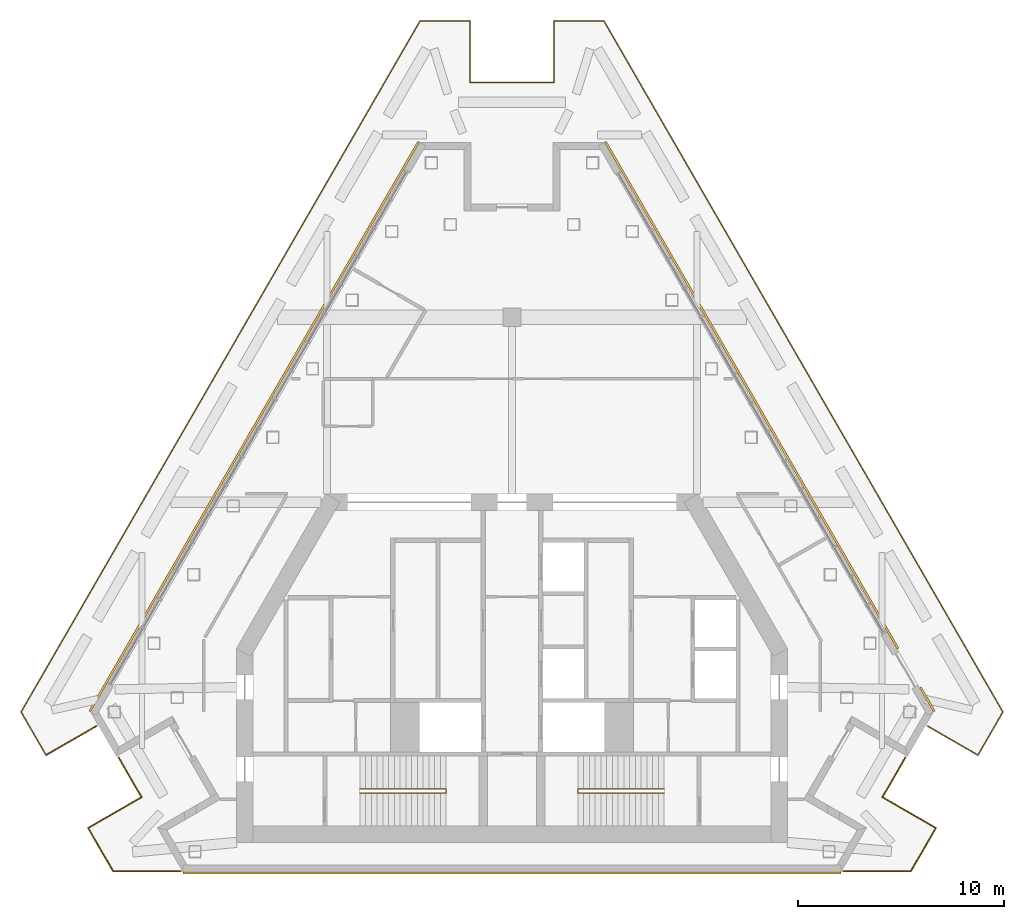
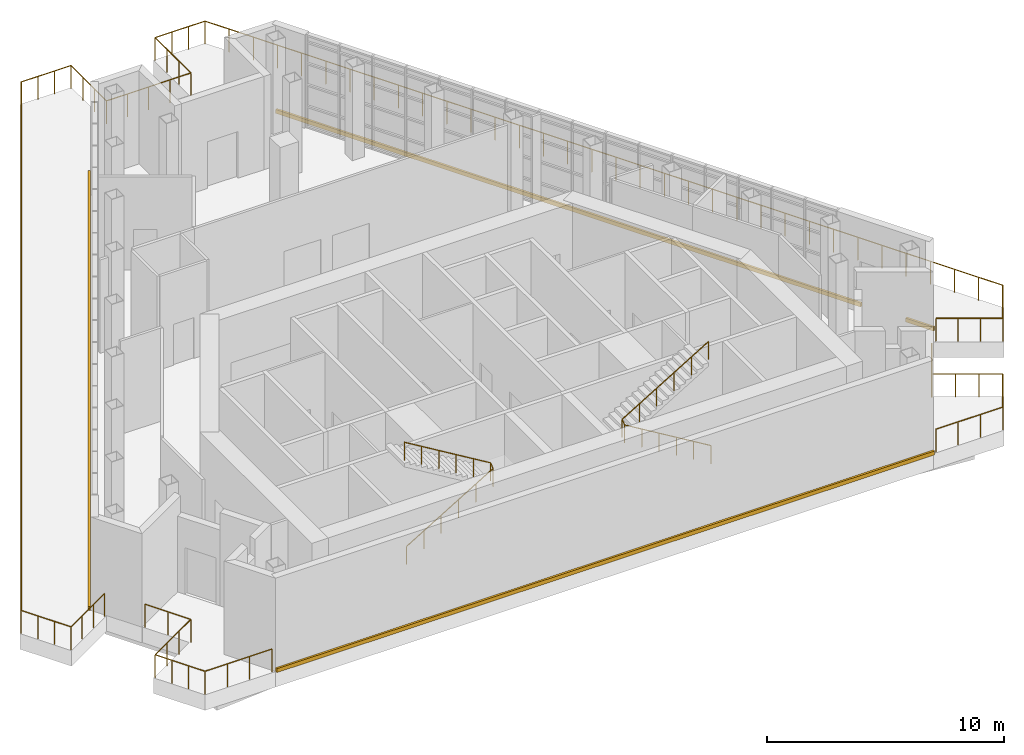
# One storey, part 15 of 15: 8 railings, 4 coverings.
"""IFC4 building model written with IfcOpenShell, lengths in metres."""

from ifc_helpers import new_model, si_unit, direction, frame, origin, origin_2d, place, context, subcontext, project, spatial, polyline, circle, outline, extrude, material, type_object, element, save


model = new_model("IFC4")

# Units and contexts
model_context = context("Model", 3, precision=1e-05, world=origin(), true_north=direction((0.0, 1.0)))
body_context = subcontext(model_context, "Body", "Model", "MODEL_VIEW")
ifc_project = project(units=[si_unit("LENGTHUNIT", "METRE"), si_unit("AREAUNIT", "SQUARE_METRE"), si_unit("VOLUMEUNIT", "CUBIC_METRE"), si_unit("PLANEANGLEUNIT", "RADIAN"), si_unit("MASSUNIT", "GRAM", prefix="KILO")], contexts=[model_context])

# Site, building, storey
site_placement = place(None, origin())
site = spatial("IfcSite", under=ifc_project, at=site_placement, CompositionType="ELEMENT")
building_placement = place(site_placement, origin())
building = spatial("IfcBuilding", under=site, at=building_placement, Name="Fogline Exchange Tower", CompositionType="ELEMENT")
storey_placement = place(building_placement, frame((0.0, 0.0, 344.699951171875)))
storey = spatial("IfcBuildingStorey", under=building, at=storey_placement, Name="L78", CompositionType="ELEMENT", Elevation=344.699951171875)

# Railings
ifc_material_1 = material(Name="Stainless steel 304", Category="steel")
railing_type_1 = type_object("IfcRailingType", Name="G1", PredefinedType="GUARDRAIL", material=ifc_material_1)
railing_1_placement = place(storey_placement, frame((-22.666748046875, 5.697509765625, 0.0)))
element("IfcRailing", 1, at=railing_1_placement, inside=storey, type_object=railing_type_1, Name="Guard L78 terrace", PredefinedType="GUARDRAIL", context=body_context, shape_type="SweptSolid", body=[
    extrude(circle(Radius=0.02392578125, at=origin_2d()), frame((0.0, 0.0, 1.17578125), z_axis=(-0.499978511878, 0.866037809602, 0.0), x_axis=(-0.866037809602, -0.499978511878, 0.0)), (0.0, 0.0, 1.0), 2.4208984375),
    extrude(circle(Radius=0.02392578125, at=origin_2d()), frame((-1.21044921875, 2.0966796875, 1.17578125), z_axis=(0.499995975731, 0.866027727185, 0.0), x_axis=(-0.866027727185, 0.499995975731, 0.0)), (0.0, 0.0, 1.0), 38.812255859375),
    extrude(circle(Radius=0.02392578125, at=origin_2d()), frame((18.195556640625, 35.709228515625, 1.17578125), z_axis=(1.0, 0.0, 0.0), x_axis=(0.0, 1.0, 0.0)), (0.0, 0.0, 1.0), 2.421142578125),
    extrude(circle(Radius=0.02392578125, at=origin_2d()), frame((20.61669921875, 35.709228515625, 1.17578125), z_axis=(0.0, -1.0, 0.0), x_axis=(1.0, 0.0, 0.0)), (0.0, 0.0, 1.0), 3.0),
    extrude(circle(Radius=0.02392578125, at=origin_2d()), frame((20.61669921875, 32.709228515625, 1.17578125), z_axis=(1.0, 0.0, 0.0), x_axis=(0.0, 1.0, 0.0)), (0.0, 0.0, 1.0), 4.10009765625),
    extrude(circle(Radius=0.02392578125, at=origin_2d()), frame((24.716796875, 32.709228515625, 1.17578125), z_axis=(0.0, 1.0, 0.0), x_axis=(-1.0, 0.0, 0.0)), (0.0, 0.0, 1.0), 3.0),
    extrude(circle(Radius=0.02392578125, at=origin_2d()), frame((24.716796875, 35.709228515625, 1.17578125), z_axis=(1.0, 0.0, 0.0), x_axis=(0.0, 1.0, 0.0)), (0.0, 0.0, 1.0), 2.421142578125),
    extrude(circle(Radius=0.02392578125, at=origin_2d()), frame((27.137939453125, 35.709228515625, 1.17578125), z_axis=(0.499995975731, -0.866027727185, 0.0), x_axis=(0.866027727185, 0.499995975731, 0.0)), (0.0, 0.0, 1.0), 38.812255859375),
    extrude(circle(Radius=0.02392578125, at=origin_2d()), frame((46.5439453125, 2.0966796875, 1.17578125), z_axis=(-0.499978511878, -0.866037809602, 0.0), x_axis=(0.866037809602, -0.499978511878, 0.0)), (0.0, 0.0, 1.0), 2.4208984375),
    extrude(circle(Radius=0.02392578125, at=origin_2d()), frame((45.33349609375, 0.0, 1.17578125), z_axis=(-0.866027263711, 0.4999967785, 0.0), x_axis=(-0.4999967785, -0.866027263711, 0.0)), (0.0, 0.0, 1.0), 2.82470703125),
    extrude(circle(Radius=0.02099609375, at=origin_2d()), origin(), (0.0, 0.0, 1.0), 1.15185546875),
    extrude(circle(Radius=0.02099609375, at=origin_2d()), frame((-0.403564453125, 0.698974609375, 0.0)), (0.0, 0.0, 1.0), 1.15185546875),
    extrude(circle(Radius=0.02099609375, at=origin_2d()), frame((-0.806884765625, 1.397705078125, 0.0)), (0.0, 0.0, 1.0), 1.15185546875),
    extrude(circle(Radius=0.02099609375, at=origin_2d()), frame((-1.21044921875, 2.0966796875, 0.0)), (0.0, 0.0, 1.0), 1.15185546875),
    extrude(circle(Radius=0.02099609375, at=origin_2d()), frame((-0.622314453125, 3.115234375, 0.0)), (0.0, 0.0, 1.0), 1.15185546875),
    extrude(circle(Radius=0.02099609375, at=origin_2d()), frame((-0.034423828125, 4.1337890625, 0.0)), (0.0, 0.0, 1.0), 1.15185546875),
    extrude(circle(Radius=0.02099609375, at=origin_2d()), frame((0.5537109375, 5.15234375, 0.0)), (0.0, 0.0, 1.0), 1.15185546875),
    extrude(circle(Radius=0.02099609375, at=origin_2d()), frame((1.141845703125, 6.1708984375, 0.0)), (0.0, 0.0, 1.0), 1.15185546875),
    extrude(circle(Radius=0.02099609375, at=origin_2d()), frame((1.729736328125, 7.189453125, 0.0)), (0.0, 0.0, 1.0), 1.15185546875),
    extrude(circle(Radius=0.02099609375, at=origin_2d()), frame((2.31787109375, 8.2080078125, 0.0)), (0.0, 0.0, 1.0), 1.15185546875),
    extrude(circle(Radius=0.02099609375, at=origin_2d()), frame((2.906005859375, 9.2265625, 0.0)), (0.0, 0.0, 1.0), 1.15185546875),
    extrude(circle(Radius=0.02099609375, at=origin_2d()), frame((3.494140625, 10.2451171875, 0.0)), (0.0, 0.0, 1.0), 1.15185546875),
    extrude(circle(Radius=0.02099609375, at=origin_2d()), frame((4.08203125, 11.263671875, 0.0)), (0.0, 0.0, 1.0), 1.15185546875),
    extrude(circle(Radius=0.02099609375, at=origin_2d()), frame((4.670166015625, 12.2822265625, 0.0)), (0.0, 0.0, 1.0), 1.15185546875),
    extrude(circle(Radius=0.02099609375, at=origin_2d()), frame((5.25830078125, 13.30078125, 0.0)), (0.0, 0.0, 1.0), 1.15185546875),
    extrude(circle(Radius=0.02099609375, at=origin_2d()), frame((5.84619140625, 14.3193359375, 0.0)), (0.0, 0.0, 1.0), 1.15185546875),
    extrude(circle(Radius=0.02099609375, at=origin_2d()), frame((6.434326171875, 15.337890625, 0.0)), (0.0, 0.0, 1.0), 1.15185546875),
    extrude(circle(Radius=0.02099609375, at=origin_2d()), frame((7.0224609375, 16.3564453125, 0.0)), (0.0, 0.0, 1.0), 1.15185546875),
    extrude(circle(Radius=0.02099609375, at=origin_2d()), frame((7.6103515625, 17.375, 0.0)), (0.0, 0.0, 1.0), 1.15185546875),
    extrude(circle(Radius=0.02099609375, at=origin_2d()), frame((8.198486328125, 18.3935546875, 0.0)), (0.0, 0.0, 1.0), 1.15185546875),
    extrude(circle(Radius=0.02099609375, at=origin_2d()), frame((8.78662109375, 19.412353515625, 0.0)), (0.0, 0.0, 1.0), 1.15185546875),
    extrude(circle(Radius=0.02099609375, at=origin_2d()), frame((9.374755859375, 20.430908203125, 0.0)), (0.0, 0.0, 1.0), 1.15185546875),
    extrude(circle(Radius=0.02099609375, at=origin_2d()), frame((9.962646484375, 21.449462890625, 0.0)), (0.0, 0.0, 1.0), 1.15185546875),
    extrude(circle(Radius=0.02099609375, at=origin_2d()), frame((10.55078125, 22.468017578125, 0.0)), (0.0, 0.0, 1.0), 1.15185546875),
    extrude(circle(Radius=0.02099609375, at=origin_2d()), frame((11.138916015625, 23.486572265625, 0.0)), (0.0, 0.0, 1.0), 1.15185546875),
    extrude(circle(Radius=0.02099609375, at=origin_2d()), frame((11.726806640625, 24.505126953125, 0.0)), (0.0, 0.0, 1.0), 1.15185546875),
    extrude(circle(Radius=0.02099609375, at=origin_2d()), frame((12.31494140625, 25.523681640625, 0.0)), (0.0, 0.0, 1.0), 1.15185546875),
    extrude(circle(Radius=0.02099609375, at=origin_2d()), frame((12.903076171875, 26.542236328125, 0.0)), (0.0, 0.0, 1.0), 1.15185546875),
    extrude(circle(Radius=0.02099609375, at=origin_2d()), frame((13.490966796875, 27.560791015625, 0.0)), (0.0, 0.0, 1.0), 1.15185546875),
    extrude(circle(Radius=0.02099609375, at=origin_2d()), frame((14.0791015625, 28.579345703125, 0.0)), (0.0, 0.0, 1.0), 1.15185546875),
    extrude(circle(Radius=0.02099609375, at=origin_2d()), frame((14.667236328125, 29.597900390625, 0.0)), (0.0, 0.0, 1.0), 1.15185546875),
    extrude(circle(Radius=0.02099609375, at=origin_2d()), frame((15.25537109375, 30.616455078125, 0.0)), (0.0, 0.0, 1.0), 1.15185546875),
    extrude(circle(Radius=0.02099609375, at=origin_2d()), frame((15.84326171875, 31.635009765625, 0.0)), (0.0, 0.0, 1.0), 1.15185546875),
    extrude(circle(Radius=0.02099609375, at=origin_2d()), frame((16.431396484375, 32.653564453125, 0.0)), (0.0, 0.0, 1.0), 1.15185546875),
    extrude(circle(Radius=0.02099609375, at=origin_2d()), frame((17.01953125, 33.672119140625, 0.0)), (0.0, 0.0, 1.0), 1.15185546875),
    extrude(circle(Radius=0.02099609375, at=origin_2d()), frame((17.607421875, 34.690673828125, 0.0)), (0.0, 0.0, 1.0), 1.15185546875),
    extrude(circle(Radius=0.02099609375, at=origin_2d()), frame((18.195556640625, 35.709228515625, 0.0)), (0.0, 0.0, 1.0), 1.15185546875),
    extrude(circle(Radius=0.02099609375, at=origin_2d()), frame((19.002685546875, 35.709228515625, 0.0)), (0.0, 0.0, 1.0), 1.15185546875),
    extrude(circle(Radius=0.02099609375, at=origin_2d()), frame((19.8095703125, 35.709228515625, 0.0)), (0.0, 0.0, 1.0), 1.15185546875),
    extrude(circle(Radius=0.02099609375, at=origin_2d()), frame((20.61669921875, 35.709228515625, 0.0)), (0.0, 0.0, 1.0), 1.15185546875),
    extrude(circle(Radius=0.02099609375, at=origin_2d()), frame((20.61669921875, 34.709228515625, 0.0)), (0.0, 0.0, 1.0), 1.15185546875),
    extrude(circle(Radius=0.02099609375, at=origin_2d()), frame((20.61669921875, 33.709228515625, 0.0)), (0.0, 0.0, 1.0), 1.15185546875),
    extrude(circle(Radius=0.02099609375, at=origin_2d()), frame((20.61669921875, 32.709228515625, 0.0)), (0.0, 0.0, 1.0), 1.15185546875),
    extrude(circle(Radius=0.02099609375, at=origin_2d()), frame((21.6416015625, 32.709228515625, 0.0)), (0.0, 0.0, 1.0), 1.15185546875),
    extrude(circle(Radius=0.02099609375, at=origin_2d()), frame((22.666748046875, 32.709228515625, 0.0)), (0.0, 0.0, 1.0), 1.15185546875),
    extrude(circle(Radius=0.02099609375, at=origin_2d()), frame((23.69189453125, 32.709228515625, 0.0)), (0.0, 0.0, 1.0), 1.15185546875),
    extrude(circle(Radius=0.02099609375, at=origin_2d()), frame((24.716796875, 32.709228515625, 0.0)), (0.0, 0.0, 1.0), 1.15185546875),
    extrude(circle(Radius=0.02099609375, at=origin_2d()), frame((24.716796875, 33.709228515625, 0.0)), (0.0, 0.0, 1.0), 1.15185546875),
    extrude(circle(Radius=0.02099609375, at=origin_2d()), frame((24.716796875, 34.709228515625, 0.0)), (0.0, 0.0, 1.0), 1.15185546875),
    extrude(circle(Radius=0.02099609375, at=origin_2d()), frame((24.716796875, 35.709228515625, 0.0)), (0.0, 0.0, 1.0), 1.15185546875),
    extrude(circle(Radius=0.02099609375, at=origin_2d()), frame((25.52392578125, 35.709228515625, 0.0)), (0.0, 0.0, 1.0), 1.15185546875),
    extrude(circle(Radius=0.02099609375, at=origin_2d()), frame((26.330810546875, 35.709228515625, 0.0)), (0.0, 0.0, 1.0), 1.15185546875),
    extrude(circle(Radius=0.02099609375, at=origin_2d()), frame((27.137939453125, 35.709228515625, 0.0)), (0.0, 0.0, 1.0), 1.15185546875),
    extrude(circle(Radius=0.02099609375, at=origin_2d()), frame((27.72607421875, 34.690673828125, 0.0)), (0.0, 0.0, 1.0), 1.15185546875),
    extrude(circle(Radius=0.02099609375, at=origin_2d()), frame((28.31396484375, 33.672119140625, 0.0)), (0.0, 0.0, 1.0), 1.15185546875),
    extrude(circle(Radius=0.02099609375, at=origin_2d()), frame((28.902099609375, 32.653564453125, 0.0)), (0.0, 0.0, 1.0), 1.15185546875),
    extrude(circle(Radius=0.02099609375, at=origin_2d()), frame((29.490234375, 31.635009765625, 0.0)), (0.0, 0.0, 1.0), 1.15185546875),
    extrude(circle(Radius=0.02099609375, at=origin_2d()), frame((30.078125, 30.616455078125, 0.0)), (0.0, 0.0, 1.0), 1.15185546875),
    extrude(circle(Radius=0.02099609375, at=origin_2d()), frame((30.666259765625, 29.597900390625, 0.0)), (0.0, 0.0, 1.0), 1.15185546875),
    extrude(circle(Radius=0.02099609375, at=origin_2d()), frame((31.25439453125, 28.579345703125, 0.0)), (0.0, 0.0, 1.0), 1.15185546875),
    extrude(circle(Radius=0.02099609375, at=origin_2d()), frame((31.842529296875, 27.560791015625, 0.0)), (0.0, 0.0, 1.0), 1.15185546875),
    extrude(circle(Radius=0.02099609375, at=origin_2d()), frame((32.430419921875, 26.542236328125, 0.0)), (0.0, 0.0, 1.0), 1.15185546875),
    extrude(circle(Radius=0.02099609375, at=origin_2d()), frame((33.0185546875, 25.523681640625, 0.0)), (0.0, 0.0, 1.0), 1.15185546875),
    extrude(circle(Radius=0.02099609375, at=origin_2d()), frame((33.606689453125, 24.505126953125, 0.0)), (0.0, 0.0, 1.0), 1.15185546875),
    extrude(circle(Radius=0.02099609375, at=origin_2d()), frame((34.194580078125, 23.486572265625, 0.0)), (0.0, 0.0, 1.0), 1.15185546875),
    extrude(circle(Radius=0.02099609375, at=origin_2d()), frame((34.78271484375, 22.468017578125, 0.0)), (0.0, 0.0, 1.0), 1.15185546875),
    extrude(circle(Radius=0.02099609375, at=origin_2d()), frame((35.370849609375, 21.449462890625, 0.0)), (0.0, 0.0, 1.0), 1.15185546875),
    extrude(circle(Radius=0.02099609375, at=origin_2d()), frame((35.958740234375, 20.430908203125, 0.0)), (0.0, 0.0, 1.0), 1.15185546875),
    extrude(circle(Radius=0.02099609375, at=origin_2d()), frame((36.546875, 19.412353515625, 0.0)), (0.0, 0.0, 1.0), 1.15185546875),
    extrude(circle(Radius=0.02099609375, at=origin_2d()), frame((37.135009765625, 18.3935546875, 0.0)), (0.0, 0.0, 1.0), 1.15185546875),
    extrude(circle(Radius=0.02099609375, at=origin_2d()), frame((37.72314453125, 17.375, 0.0)), (0.0, 0.0, 1.0), 1.15185546875),
    extrude(circle(Radius=0.02099609375, at=origin_2d()), frame((38.31103515625, 16.3564453125, 0.0)), (0.0, 0.0, 1.0), 1.15185546875),
    extrude(circle(Radius=0.02099609375, at=origin_2d()), frame((38.899169921875, 15.337890625, 0.0)), (0.0, 0.0, 1.0), 1.15185546875),
    extrude(circle(Radius=0.02099609375, at=origin_2d()), frame((39.4873046875, 14.3193359375, 0.0)), (0.0, 0.0, 1.0), 1.15185546875),
    extrude(circle(Radius=0.02099609375, at=origin_2d()), frame((40.0751953125, 13.30078125, 0.0)), (0.0, 0.0, 1.0), 1.15185546875),
    extrude(circle(Radius=0.02099609375, at=origin_2d()), frame((40.663330078125, 12.2822265625, 0.0)), (0.0, 0.0, 1.0), 1.15185546875),
    extrude(circle(Radius=0.02099609375, at=origin_2d()), frame((41.25146484375, 11.263671875, 0.0)), (0.0, 0.0, 1.0), 1.15185546875),
    extrude(circle(Radius=0.02099609375, at=origin_2d()), frame((41.83935546875, 10.2451171875, 0.0)), (0.0, 0.0, 1.0), 1.15185546875),
    extrude(circle(Radius=0.02099609375, at=origin_2d()), frame((42.427490234375, 9.2265625, 0.0)), (0.0, 0.0, 1.0), 1.15185546875),
    extrude(circle(Radius=0.02099609375, at=origin_2d()), frame((43.015625, 8.2080078125, 0.0)), (0.0, 0.0, 1.0), 1.15185546875),
    extrude(circle(Radius=0.02099609375, at=origin_2d()), frame((43.603759765625, 7.189453125, 0.0)), (0.0, 0.0, 1.0), 1.15185546875),
    extrude(circle(Radius=0.02099609375, at=origin_2d()), frame((44.191650390625, 6.1708984375, 0.0)), (0.0, 0.0, 1.0), 1.15185546875),
    extrude(circle(Radius=0.02099609375, at=origin_2d()), frame((44.77978515625, 5.15234375, 0.0)), (0.0, 0.0, 1.0), 1.15185546875),
    extrude(circle(Radius=0.02099609375, at=origin_2d()), frame((45.367919921875, 4.1337890625, 0.0)), (0.0, 0.0, 1.0), 1.15185546875),
    extrude(circle(Radius=0.02099609375, at=origin_2d()), frame((45.955810546875, 3.115234375, 0.0)), (0.0, 0.0, 1.0), 1.15185546875),
    extrude(circle(Radius=0.02099609375, at=origin_2d()), frame((46.5439453125, 2.0966796875, 0.0)), (0.0, 0.0, 1.0), 1.15185546875),
    extrude(circle(Radius=0.02099609375, at=origin_2d()), frame((46.140380859375, 1.397705078125, 0.0)), (0.0, 0.0, 1.0), 1.15185546875),
    extrude(circle(Radius=0.02099609375, at=origin_2d()), frame((45.737060546875, 0.698974609375, 0.0)), (0.0, 0.0, 1.0), 1.15185546875),
    extrude(circle(Radius=0.02099609375, at=origin_2d()), frame((45.33349609375, 0.0, 0.0)), (0.0, 0.0, 1.0), 1.15185546875),
    extrude(circle(Radius=0.02099609375, at=origin_2d()), frame((44.51806640625, 0.470703125, 0.0)), (0.0, 0.0, 1.0), 1.15185546875),
    extrude(circle(Radius=0.02099609375, at=origin_2d()), frame((43.70263671875, 0.941650390625, 0.0)), (0.0, 0.0, 1.0), 1.15185546875),
    extrude(circle(Radius=0.02099609375, at=origin_2d()), frame((42.88720703125, 1.412353515625, 0.0)), (0.0, 0.0, 1.0), 1.15185546875),
])
railing_2_placement = place(storey_placement, frame((-20.220458984375, 7.10986328125, 0.0)))
element("IfcRailing", 2, at=railing_2_placement, inside=storey, type_object=railing_type_1, Name="Guard L78 terrace", PredefinedType="GUARDRAIL", context=body_context, shape_type="SweptSolid", body=[
    extrude(circle(Radius=0.02392578125, at=origin_2d()), frame((0.0, 0.0, 1.17578125), z_axis=(-0.866027263711, -0.4999967785, 0.0), x_axis=(0.4999967785, -0.866027263711, 0.0)), (0.0, 0.0, 1.0), 2.82470703125),
    extrude(circle(Radius=0.02099609375, at=origin_2d()), origin(), (0.0, 0.0, 1.0), 1.15185546875),
    extrude(circle(Radius=0.02099609375, at=origin_2d()), frame((-0.8154296875, -0.470703125, 0.0)), (0.0, 0.0, 1.0), 1.15185546875),
    extrude(circle(Radius=0.02099609375, at=origin_2d()), frame((-1.630859375, -0.941650390625, 0.0)), (0.0, 0.0, 1.0), 1.15185546875),
    extrude(circle(Radius=0.02099609375, at=origin_2d()), frame((-2.4462890625, -1.412353515625, 0.0)), (0.0, 0.0, 1.0), 1.15185546875),
])
railing_3_placement = place(storey_placement, frame((-19.406005859375, 0.050048828125, 0.0)))
element("IfcRailing", 3, at=railing_3_placement, inside=storey, type_object=railing_type_1, Name="Guard L78 terrace", PredefinedType="GUARDRAIL", context=body_context, shape_type="SweptSolid", body=[
    extrude(circle(Radius=0.02392578125, at=origin_2d()), frame((0.0, 0.0, 1.17578125), z_axis=(-0.500054140411, 0.865994143547, 0.0), x_axis=(-0.865994143547, -0.500054140411, 0.0)), (0.0, 0.0, 1.0), 2.421142578125),
    extrude(circle(Radius=0.02392578125, at=origin_2d()), frame((-1.210693359375, 2.0966796875, 1.17578125), z_axis=(0.866031096941, 0.499990139034, 0.0), x_axis=(-0.499990139034, 0.866031096941, 0.0)), (0.0, 0.0, 1.0), 3.0),
    extrude(circle(Radius=0.02392578125, at=origin_2d()), frame((1.387451171875, 3.5966796875, 1.17578125), z_axis=(-0.500078997248, 0.865979789898, 0.0), x_axis=(-0.865979789898, -0.500078997248, 0.0)), (0.0, 0.0, 1.0), 2.232666015625),
    extrude(circle(Radius=0.02099609375, at=origin_2d()), origin(), (0.0, 0.0, 1.0), 1.15185546875),
    extrude(circle(Radius=0.02099609375, at=origin_2d()), frame((-0.403564453125, 0.698974609375, 0.0)), (0.0, 0.0, 1.0), 1.15185546875),
    extrude(circle(Radius=0.02099609375, at=origin_2d()), frame((-0.80712890625, 1.397705078125, 0.0)), (0.0, 0.0, 1.0), 1.15185546875),
    extrude(circle(Radius=0.02099609375, at=origin_2d()), frame((-1.210693359375, 2.0966796875, 0.0)), (0.0, 0.0, 1.0), 1.15185546875),
    extrude(circle(Radius=0.02099609375, at=origin_2d()), frame((-0.3447265625, 2.5966796875, 0.0)), (0.0, 0.0, 1.0), 1.15185546875),
    extrude(circle(Radius=0.02099609375, at=origin_2d()), frame((0.521484375, 3.0966796875, 0.0)), (0.0, 0.0, 1.0), 1.15185546875),
    extrude(circle(Radius=0.02099609375, at=origin_2d()), frame((1.387451171875, 3.5966796875, 0.0)), (0.0, 0.0, 1.0), 1.15185546875),
    extrude(circle(Radius=0.02099609375, at=origin_2d()), frame((0.8291015625, 4.5634765625, 0.0)), (0.0, 0.0, 1.0), 1.15185546875),
    extrude(circle(Radius=0.02099609375, at=origin_2d()), frame((0.27099609375, 5.530029296875, 0.0)), (0.0, 0.0, 1.0), 1.15185546875),
])
railing_4_placement = place(storey_placement, frame((-16.144287109375, 0.050048828125, 0.0)))
element("IfcRailing", 4, at=railing_4_placement, inside=storey, type_object=railing_type_1, Name="Guard L78 terrace", PredefinedType="GUARDRAIL", context=body_context, shape_type="SweptSolid", body=[
    extrude(circle(Radius=0.02392578125, at=origin_2d()), frame((0.0, 0.0, 1.17578125), z_axis=(-1.0, 0.0, 0.0), x_axis=(0.0, -1.0, 0.0)), (0.0, 0.0, 1.0), 3.26171875),
    extrude(circle(Radius=0.02099609375, at=origin_2d()), origin(), (0.0, 0.0, 1.0), 1.15185546875),
    extrude(circle(Radius=0.02099609375, at=origin_2d()), frame((-1.087158203125, 0.0, 0.0)), (0.0, 0.0, 1.0), 1.15185546875),
    extrude(circle(Radius=0.02099609375, at=origin_2d()), frame((-2.174560546875, 0.0, 0.0)), (0.0, 0.0, 1.0), 1.15185546875),
    extrude(circle(Radius=0.02099609375, at=origin_2d()), frame((-3.26171875, 0.0, 0.0)), (0.0, 0.0, 1.0), 1.15185546875),
])
railing_5_placement = place(storey_placement, frame((18.0185546875, 3.646728515625, 0.0)))
element("IfcRailing", 5, at=railing_5_placement, inside=storey, type_object=railing_type_1, Name="Guard L78 terrace", PredefinedType="GUARDRAIL", context=body_context, shape_type="SweptSolid", body=[
    extrude(circle(Radius=0.02392578125, at=origin_2d()), frame((0.0, 0.0, 1.17578125), z_axis=(0.866031096941, -0.499990139034, 0.0), x_axis=(0.499990139034, 0.866031096941, 0.0)), (0.0, 0.0, 1.0), 3.0),
    extrude(circle(Radius=0.02392578125, at=origin_2d()), frame((2.59814453125, -1.5, 1.17578125), z_axis=(-0.500054140411, -0.865994143547, 0.0), x_axis=(0.865994143547, -0.500054140411, 0.0)), (0.0, 0.0, 1.0), 2.421142578125),
    extrude(circle(Radius=0.02392578125, at=origin_2d()), frame((1.387451171875, -3.5966796875, 1.17578125), z_axis=(-1.0, 0.0, 0.0), x_axis=(0.0, -1.0, 0.0)), (0.0, 0.0, 1.0), 3.26171875),
    extrude(circle(Radius=0.02099609375, at=origin_2d()), origin(), (0.0, 0.0, 1.0), 1.15185546875),
    extrude(circle(Radius=0.02099609375, at=origin_2d()), frame((0.865966796875, -0.5, 0.0)), (0.0, 0.0, 1.0), 1.15185546875),
    extrude(circle(Radius=0.02099609375, at=origin_2d()), frame((1.732177734375, -1.0, 0.0)), (0.0, 0.0, 1.0), 1.15185546875),
    extrude(circle(Radius=0.02099609375, at=origin_2d()), frame((2.59814453125, -1.5, 0.0)), (0.0, 0.0, 1.0), 1.15185546875),
    extrude(circle(Radius=0.02099609375, at=origin_2d()), frame((2.194580078125, -2.198974609375, 0.0)), (0.0, 0.0, 1.0), 1.15185546875),
    extrude(circle(Radius=0.02099609375, at=origin_2d()), frame((1.791015625, -2.897705078125, 0.0)), (0.0, 0.0, 1.0), 1.15185546875),
    extrude(circle(Radius=0.02099609375, at=origin_2d()), frame((1.387451171875, -3.5966796875, 0.0)), (0.0, 0.0, 1.0), 1.15185546875),
    extrude(circle(Radius=0.02099609375, at=origin_2d()), frame((0.30029296875, -3.5966796875, 0.0)), (0.0, 0.0, 1.0), 1.15185546875),
    extrude(circle(Radius=0.02099609375, at=origin_2d()), frame((-0.787109375, -3.5966796875, 0.0)), (0.0, 0.0, 1.0), 1.15185546875),
    extrude(circle(Radius=0.02099609375, at=origin_2d()), frame((-1.874267578125, -3.5966796875, 0.0)), (0.0, 0.0, 1.0), 1.15185546875),
])
railing_6_placement = place(storey_placement, frame((19.135009765625, 5.580078125, 0.0)))
element("IfcRailing", 6, at=railing_6_placement, inside=storey, type_object=railing_type_1, Name="Guard L78 terrace", PredefinedType="GUARDRAIL", context=body_context, shape_type="SweptSolid", body=[
    extrude(circle(Radius=0.02392578125, at=origin_2d()), frame((0.0, 0.0, 1.17578125), z_axis=(-0.500078997248, -0.865979789898, 0.0), x_axis=(0.865979789898, -0.500078997248, 0.0)), (0.0, 0.0, 1.0), 2.232666015625),
    extrude(circle(Radius=0.02099609375, at=origin_2d()), origin(), (0.0, 0.0, 1.0), 1.15185546875),
    extrude(circle(Radius=0.02099609375, at=origin_2d()), frame((-0.55810546875, -0.966796875, 0.0)), (0.0, 0.0, 1.0), 1.15185546875),
    extrude(circle(Radius=0.02099609375, at=origin_2d()), frame((-1.116455078125, -1.933349609375, 0.0)), (0.0, 0.0, 1.0), 1.15185546875),
])
ifc_material_2 = material(Name="Steel Q235B", Category="steel")
railing_type_2 = type_object("IfcRailingType", Name="RL-HR", PredefinedType="HANDRAIL", material=ifc_material_2)
railing_7_placement = place(storey_placement, frame((-7.39990234375, 3.85009765625, 0.168701171875)))
element("IfcRailing", 7, at=railing_7_placement, inside=storey, type_object=railing_type_2, Name="Handrail CS1", PredefinedType="HANDRAIL", context=body_context, shape_type="SweptSolid", body=[
    extrude(circle(Radius=0.02392578125, at=origin_2d()), frame((0.0, 0.0, 0.92578125), z_axis=(0.856476492594, 0.0, 0.516186030065), x_axis=(0.0, 1.0, 0.0)), (0.0, 0.0, 1.0), 4.90380859375),
    extrude(circle(Radius=0.02392578125, at=origin_2d()), frame((4.199951171875, 0.0, 3.45703125), z_axis=(0.0, 0.764305856904, 0.644853903688), x_axis=(-1.0, 0.0, 0.0)), (0.0, 0.0, 1.0), 0.26171875),
    extrude(circle(Radius=0.02392578125, at=origin_2d()), frame((4.199951171875, 0.199951171875, 3.6259765625), z_axis=(-0.856454481726, 0.0, 0.516222549615), x_axis=(0.0, -1.0, 0.0)), (0.0, 0.0, 1.0), 4.90380859375),
    extrude(circle(Radius=0.02099609375, at=origin_2d()), origin(), (0.0, 0.0, 1.0), 0.90185546875),
    extrude(circle(Radius=0.02099609375, at=origin_2d()), frame((0.840087890625, 0.0, 0.50634765625)), (0.0, 0.0, 1.0), 0.90185546875),
    extrude(circle(Radius=0.02099609375, at=origin_2d()), frame((1.679931640625, 0.0, 1.012451171875)), (0.0, 0.0, 1.0), 0.90185546875),
    extrude(circle(Radius=0.02099609375, at=origin_2d()), frame((2.52001953125, 0.0, 1.518798828125)), (0.0, 0.0, 1.0), 0.90185546875),
    extrude(circle(Radius=0.02099609375, at=origin_2d()), frame((3.35986328125, 0.0, 2.02490234375)), (0.0, 0.0, 1.0), 0.90185546875),
    extrude(circle(Radius=0.02099609375, at=origin_2d()), frame((4.199951171875, 0.0, 2.53125)), (0.0, 0.0, 1.0), 0.90185546875),
    extrude(circle(Radius=0.02099609375, at=origin_2d()), frame((4.199951171875, 0.199951171875, 2.699951171875)), (0.0, 0.0, 1.0), 0.90185546875),
    extrude(circle(Radius=0.02099609375, at=origin_2d()), frame((3.35986328125, 0.199951171875, 3.206298828125)), (0.0, 0.0, 1.0), 0.90185546875),
    extrude(circle(Radius=0.02099609375, at=origin_2d()), frame((2.52001953125, 0.199951171875, 3.712646484375)), (0.0, 0.0, 1.0), 0.90185546875),
    extrude(circle(Radius=0.02099609375, at=origin_2d()), frame((1.679931640625, 0.199951171875, 4.21875)), (0.0, 0.0, 1.0), 0.90185546875),
    extrude(circle(Radius=0.02099609375, at=origin_2d()), frame((0.840087890625, 0.199951171875, 4.72509765625)), (0.0, 0.0, 1.0), 0.90185546875),
    extrude(circle(Radius=0.02099609375, at=origin_2d()), frame((0.0, 0.199951171875, 5.2314453125)), (0.0, 0.0, 1.0), 0.90185546875),
])
railing_8_placement = place(storey_placement, frame((7.39990234375, 3.85009765625, 0.168701171875)))
element("IfcRailing", 8, at=railing_8_placement, inside=storey, type_object=railing_type_2, Name="Handrail CS2", PredefinedType="HANDRAIL", context=body_context, shape_type="SweptSolid", body=[
    extrude(circle(Radius=0.02392578125, at=origin_2d()), frame((0.0, 0.0, 0.92578125), z_axis=(-0.856476492594, 0.0, 0.516186030065), x_axis=(0.0, -1.0, 0.0)), (0.0, 0.0, 1.0), 4.90380859375),
    extrude(circle(Radius=0.02392578125, at=origin_2d()), frame((-4.199951171875, 0.0, 3.45703125), z_axis=(0.0, 0.764305856904, 0.644853903688), x_axis=(-1.0, 0.0, 0.0)), (0.0, 0.0, 1.0), 0.26171875),
    extrude(circle(Radius=0.02392578125, at=origin_2d()), frame((-4.199951171875, 0.199951171875, 3.6259765625), z_axis=(0.856454481726, 0.0, 0.516222549615), x_axis=(0.0, 1.0, 0.0)), (0.0, 0.0, 1.0), 4.90380859375),
    extrude(circle(Radius=0.02099609375, at=origin_2d()), origin(), (0.0, 0.0, 1.0), 0.90185546875),
    extrude(circle(Radius=0.02099609375, at=origin_2d()), frame((-0.840087890625, 0.0, 0.50634765625)), (0.0, 0.0, 1.0), 0.90185546875),
    extrude(circle(Radius=0.02099609375, at=origin_2d()), frame((-1.679931640625, 0.0, 1.012451171875)), (0.0, 0.0, 1.0), 0.90185546875),
    extrude(circle(Radius=0.02099609375, at=origin_2d()), frame((-2.52001953125, 0.0, 1.518798828125)), (0.0, 0.0, 1.0), 0.90185546875),
    extrude(circle(Radius=0.02099609375, at=origin_2d()), frame((-3.35986328125, 0.0, 2.02490234375)), (0.0, 0.0, 1.0), 0.90185546875),
    extrude(circle(Radius=0.02099609375, at=origin_2d()), frame((-4.199951171875, 0.0, 2.53125)), (0.0, 0.0, 1.0), 0.90185546875),
    extrude(circle(Radius=0.02099609375, at=origin_2d()), frame((-4.199951171875, 0.199951171875, 2.699951171875)), (0.0, 0.0, 1.0), 0.90185546875),
    extrude(circle(Radius=0.02099609375, at=origin_2d()), frame((-3.35986328125, 0.199951171875, 3.206298828125)), (0.0, 0.0, 1.0), 0.90185546875),
    extrude(circle(Radius=0.02099609375, at=origin_2d()), frame((-2.52001953125, 0.199951171875, 3.712646484375)), (0.0, 0.0, 1.0), 0.90185546875),
    extrude(circle(Radius=0.02099609375, at=origin_2d()), frame((-1.679931640625, 0.199951171875, 4.21875)), (0.0, 0.0, 1.0), 0.90185546875),
    extrude(circle(Radius=0.02099609375, at=origin_2d()), frame((-0.840087890625, 0.199951171875, 4.72509765625)), (0.0, 0.0, 1.0), 0.90185546875),
    extrude(circle(Radius=0.02099609375, at=origin_2d()), frame((0.0, 0.199951171875, 5.2314453125)), (0.0, 0.0, 1.0), 0.90185546875),
])

# Coverings
ifc_material_3 = material(Name="Brick masonry", Category="masonry")
covering_type = type_object("IfcCoveringType", Name="SB1", PredefinedType="CLADDING", material=ifc_material_3)
covering_1_placement = place(storey_placement, origin())
element("IfcCovering", 9, at=covering_1_placement, inside=storey, type_object=covering_type, Name="Stringcourse band L78 S", PredefinedType="CLADDING", context=body_context, shape_type="SweptSolid", body=[
    extrude(outline(polyline([(-16.0, 0.0), (-16.0, -0.10009765625), (16.0, -0.10009765625), (16.0, 0.0), (-16.0, 0.0)])), origin(), (0.0, 0.0, 1.0), 0.199951171875),
])
covering_2_placement = place(storey_placement, origin())
element("IfcCovering", 10, at=covering_2_placement, inside=storey, type_object=covering_type, Name="Stringcourse band L78 E", PredefinedType="CLADDING", context=body_context, shape_type="SweptSolid", body=[
    extrude(outline(polyline([(20.5, 7.794189453125), (20.586669921875, 7.84423828125), (19.91162109375, 9.013427734375), (19.824951171875, 8.96337890625), (20.5, 7.794189453125)])), origin(), (0.0, 0.0, 1.0), 0.199951171875),
])
covering_3_placement = place(storey_placement, origin())
element("IfcCovering", 11, at=covering_3_placement, inside=storey, type_object=covering_type, Name="Stringcourse band L78 E", PredefinedType="CLADDING", context=body_context, shape_type="SweptSolid", body=[
    extrude(outline(polyline([(18.732421875, 10.855712890625), (18.819091796875, 10.905517578125), (4.586669921875, 35.556884765625), (4.5, 35.507080078125), (18.732421875, 10.855712890625)])), origin(), (0.0, 0.0, 1.0), 0.199951171875),
])
covering_4_placement = place(storey_placement, origin())
element("IfcCovering", 12, at=covering_4_placement, inside=storey, type_object=covering_type, Name="Stringcourse band L78 W", PredefinedType="CLADDING", context=body_context, shape_type="SweptSolid", body=[
    extrude(outline(polyline([(-4.5, 35.507080078125), (-4.586669921875, 35.556884765625), (-20.586669921875, 7.84423828125), (-20.5, 7.794189453125), (-4.5, 35.507080078125)])), origin(), (0.0, 0.0, 1.0), 0.199951171875),
])

save(model, "model.ifc")
